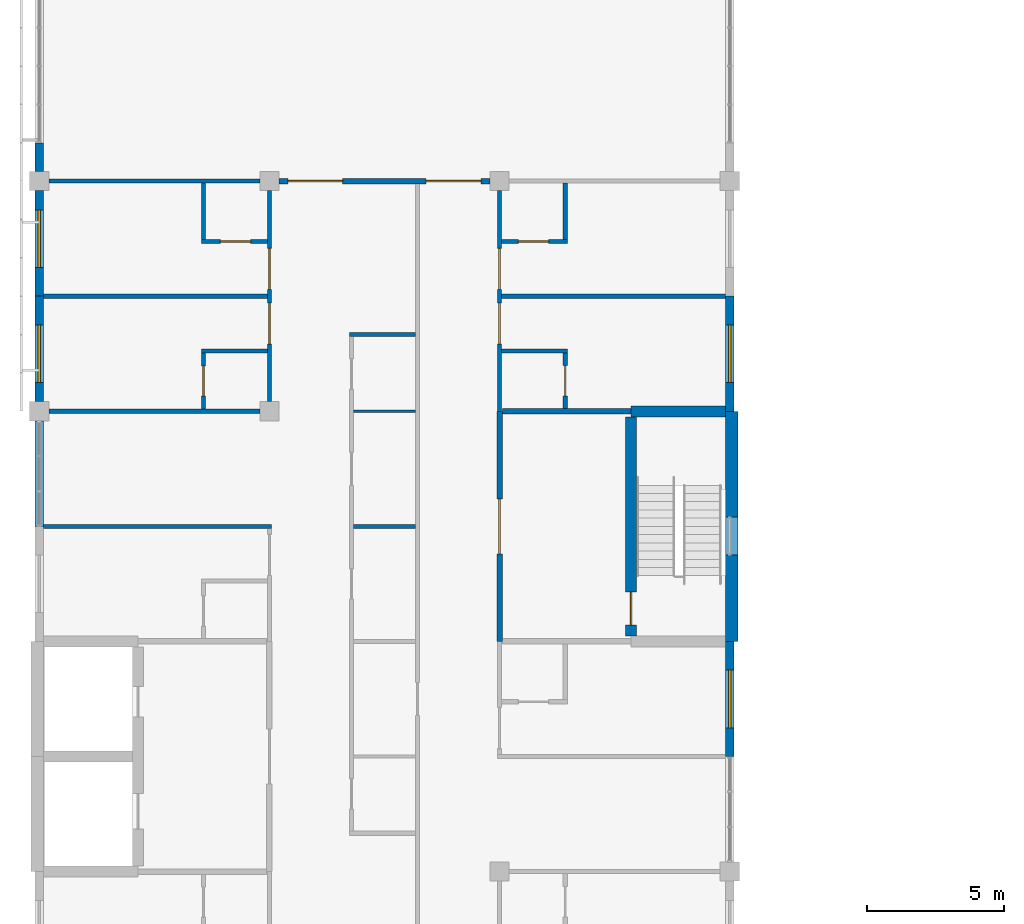
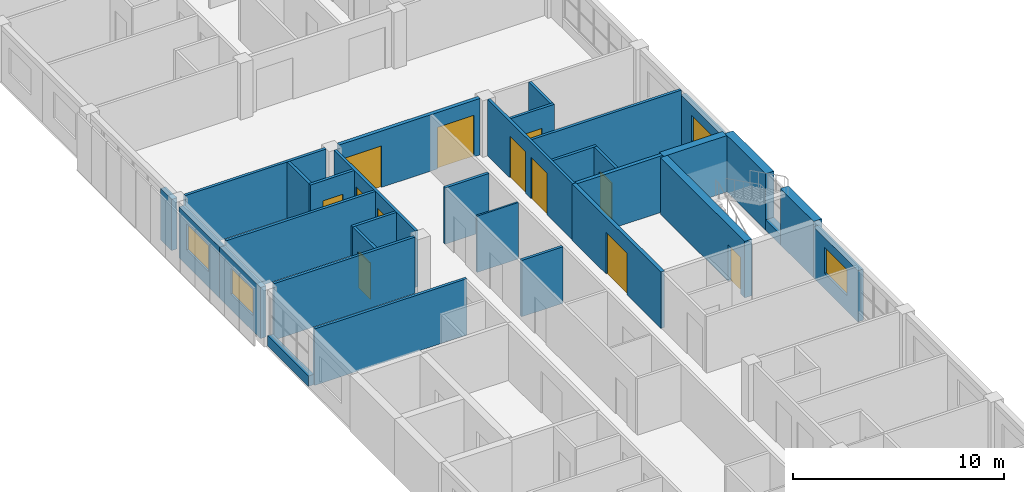
# One storey, part 33 of 46: 32 walls, 12 doors, 4 windows, 16 openings.
"""IFC4 building model written with IfcOpenShell, lengths in metres."""

import ifcopenshell
import ifcopenshell.guid

model = None  # the IFC model being written
_history = None  # IfcOwnerHistory: only IFC2X3 demands one
_inside = {}  # id of a spatial element -> (the spatial element, [elements in it])
_under = {}  # id of a project, library or spatial element -> (it, [spatial elements below it])
_declared = {}  # id of a project -> (the project, [libraries it declares])
_typed = {}  # id of a type object -> (the type object, [elements of that type])
_made_of = {}  # id of a material, layer set ... -> (it, [elements and type objects made of it])


def new_model(schema):
    """Start an empty IFC model of exactly this schema.

    Asked for "IFC4X3", IfcOpenShell would pick the latest addendum, in which some entities
    have other attributes; the version numbers below select the first issue.
    IFC2X3 requires an IfcOwnerHistory on every rooted entity: one is made here for all.
    """
    global model, _history
    if schema == "IFC4X3":
        model = ifcopenshell.file(schema_version=(4, 3, 0, 0))
    else:
        model = ifcopenshell.file(schema=schema)
    _inside.clear()
    _under.clear()
    _declared.clear()
    _typed.clear()
    _made_of.clear()
    _history = None
    if model.schema == "IFC2X3":
        org = make("IfcOrganization", Name="unknown")
        user = make(
            "IfcPersonAndOrganization",
            ThePerson=make("IfcPerson", FamilyName="unknown"),
            TheOrganization=org,
        )
        app = make(
            "IfcApplication",
            ApplicationDeveloper=org,
            Version="unknown",
            ApplicationFullName="unknown",
            ApplicationIdentifier="unknown",
        )
        _history = make(
            "IfcOwnerHistory",
            OwningUser=user,
            OwningApplication=app,
            ChangeAction="ADDED",
            CreationDate=0,
        )
    return model


def make(cls, **values):
    """One entity of the class cls with the attributes given. An attribute that is None is left unset."""
    return model.create_entity(
        cls, **{name: value for name, value in values.items() if value is not None}
    )


def rooted(cls, **values):
    """An entity with a GlobalId (a new one), such as an element, a storey or a relation."""
    return make(cls, GlobalId=ifcopenshell.guid.new(), OwnerHistory=_history, **values)


def si_unit(unit_type, name, prefix=None):
    """IfcSIUnit, for example si_unit("LENGTHUNIT", "METRE", prefix="MILLI")."""
    return make("IfcSIUnit", UnitType=unit_type, Prefix=prefix, Name=name)


def assignment(units):
    """IfcUnitAssignment: the units of a project."""
    return None if units is None else make("IfcUnitAssignment", Units=units)


def point(xyz):
    """IfcCartesianPoint."""
    return None if xyz is None else make("IfcCartesianPoint", Coordinates=xyz)


def direction(xyz):
    """IfcDirection."""
    return None if xyz is None else make("IfcDirection", DirectionRatios=xyz)


def frame(location, z_axis=None, x_axis=None):
    """IfcAxis2Placement3D, a coordinate frame: its origin and axes. An axis left out is left unset."""
    return make(
        "IfcAxis2Placement3D",
        Location=point(location),
        Axis=direction(z_axis),
        RefDirection=direction(x_axis),
    )


def frame_2d(location, x_axis=None):
    """IfcAxis2Placement2D, a coordinate frame in the plane: its origin and x axis."""
    return make(
        "IfcAxis2Placement2D", Location=point(location), RefDirection=direction(x_axis)
    )


def origin():
    """The frame at (0, 0, 0) with its axes left unset."""
    return frame((0.0, 0.0, 0.0))


def place(relative_to, where):
    """IfcLocalPlacement: puts the frame where relative to a parent placement (None: the world)."""
    return make(
        "IfcLocalPlacement", PlacementRelTo=relative_to, RelativePlacement=where
    )


def context(
    kind, dimensions, precision=None, world=None, true_north=None, identifier=None
):
    """IfcGeometricRepresentationContext, for example the 3D "Model" context."""
    return make(
        "IfcGeometricRepresentationContext",
        ContextIdentifier=identifier,
        ContextType=kind,
        CoordinateSpaceDimension=dimensions,
        Precision=precision,
        WorldCoordinateSystem=world,
        TrueNorth=true_north,
    )


def subcontext(parent, identifier, kind, view, scale=None):
    """IfcGeometricRepresentationSubContext, for example "Body" below "Model"."""
    return make(
        "IfcGeometricRepresentationSubContext",
        ContextIdentifier=identifier,
        ContextType=kind,
        ParentContext=parent,
        TargetScale=scale,
        TargetView=view,
    )


def project(units=None, contexts=None):
    """IfcProject with its units and contexts."""
    return rooted(
        "IfcProject",
        Name="project",
        RepresentationContexts=contexts,
        UnitsInContext=assignment(units),
    )


def spatial(cls, under=None, at=None, **own):
    """A site, building, storey or space (cls), placed at a placement, below another one or the project."""
    s = rooted(cls, ObjectPlacement=at, **own)
    if under is not None:
        _under.setdefault(under.id(), (under, []))[1].append(s)
    return s


def profile(cls, at=None, kind="AREA", **sizes):
    """A parametric profile (cls). Its sizes go by their IFC names, for example OverallWidth=200.0."""
    return make(cls, ProfileType=kind, Position=at, **sizes)


def rectangle(**sizes):
    """IfcRectangleProfileDef."""
    return profile("IfcRectangleProfileDef", **sizes)


def extrude(swept, where, along, depth):
    """IfcExtrudedAreaSolid: the profile swept, set in the frame where, extruded along a direction by depth."""
    return make(
        "IfcExtrudedAreaSolid",
        SweptArea=swept,
        Position=where,
        ExtrudedDirection=direction(along),
        Depth=depth,
    )


def shape(context_of_items, identifier, shape_type, items):
    """IfcShapeRepresentation: the items that make up one representation, for example the "Body"."""
    return make(
        "IfcShapeRepresentation",
        ContextOfItems=context_of_items,
        RepresentationIdentifier=identifier,
        RepresentationType=shape_type,
        Items=items,
    )


def material(Name=None, Category=None):
    """IfcMaterial."""
    return make("IfcMaterial", Name=Name, Category=Category)


def layer(
    of_material, thickness, ventilated=None, Name=None, Category=None, Priority=None
):
    """IfcMaterialLayer: one layer of a wall or slab, of a material (None: an air gap)."""
    return make(
        "IfcMaterialLayer",
        Material=of_material,
        LayerThickness=thickness,
        IsVentilated=ventilated,
        Name=Name,
        Category=Category,
        Priority=Priority,
    )


def layer_set(layers, Name=None):
    """IfcMaterialLayerSet."""
    return make("IfcMaterialLayerSet", MaterialLayers=layers, LayerSetName=Name)


def made_of(thing, what):
    """Note that an element or type object is made of a material, layer set ...; save() writes the relation."""
    if what is not None:
        _made_of.setdefault(what.id(), (what, []))[1].append(thing)
    return thing


def type_object(cls, material=None, **own):
    """A type object (cls), such as IfcWallType, which elements share."""
    return made_of(rooted(cls, **own), material)


def element(
    cls,
    number,
    at=None,
    inside=None,
    cuts=None,
    type_object=None,
    material=None,
    context=None,
    identifier="Body",
    shape_type=None,
    held_by="IfcProductDefinitionShape",
    body=None,
    shapes=None,
    **own,
):
    """One element of the class cls, such as IfcWall. Its Tag is "e" and its number.

    at: its placement. inside: the storey or other place that contains it. cuts: it is an
    opening in that element (IfcRelVoidsElement). A single representation is given by context,
    identifier, shape_type and body (its items); several are given by shapes. held_by: the class
    of the entity that holds the representations. save() writes the other relations.
    """
    e = rooted(cls, Tag="e%d" % number, ObjectPlacement=at, **own)
    if body is not None:
        shapes = [shape(context, identifier, shape_type, body)]
    if shapes is not None:
        e.Representation = make(held_by, Representations=shapes)
    if inside is not None:
        _inside.setdefault(inside.id(), (inside, []))[1].append(e)
    if cuts is not None:
        rooted(
            "IfcRelVoidsElement", RelatingBuildingElement=cuts, RelatedOpeningElement=e
        )
    if type_object is not None:
        _typed.setdefault(type_object.id(), (type_object, []))[1].append(e)
    return made_of(e, material)


def fill(opening, filler):
    """IfcRelFillsElement: the door or window that sits in an opening."""
    return rooted(
        "IfcRelFillsElement",
        RelatingOpeningElement=opening,
        RelatedBuildingElement=filler,
    )


def aggregate(whole, parts):
    """IfcRelAggregates: a whole, such as a stair, and the parts it consists of."""
    return rooted("IfcRelAggregates", RelatingObject=whole, RelatedObjects=parts)


def save(model, path):
    """Write the relations noted so far, then the file.

    IfcRelAggregates (storeys below a building ...), IfcRelContainedInSpatialStructure (elements
    in a storey), IfcRelDefinesByType, IfcRelAssociatesMaterial and IfcRelDeclares: one each for
    every whole, place, type object, material and project.
    """
    for whole, parts in _under.values():
        aggregate(whole, parts)
    for where, things in _inside.values():
        rooted(
            "IfcRelContainedInSpatialStructure",
            RelatedElements=things,
            RelatingStructure=where,
        )
    for kind, things in _typed.values():
        rooted("IfcRelDefinesByType", RelatedObjects=things, RelatingType=kind)
    for what, things in _made_of.values():
        rooted("IfcRelAssociatesMaterial", RelatedObjects=things, RelatingMaterial=what)
    for by, libraries in _declared.values():
        rooted("IfcRelDeclares", RelatingContext=by, RelatedDefinitions=libraries)
    model.write(path)


model = new_model("IFC4")

# Units and contexts
model_context = context("Model", 3, precision=1e-05, world=origin(), true_north=direction((0.0, 1.0)))
body_context = subcontext(model_context, "Body", "Model", "MODEL_VIEW")
ifc_project = project(units=[si_unit("LENGTHUNIT", "METRE"), si_unit("AREAUNIT", "SQUARE_METRE"), si_unit("VOLUMEUNIT", "CUBIC_METRE"), si_unit("PLANEANGLEUNIT", "RADIAN"), si_unit("MASSUNIT", "GRAM", prefix="KILO")], contexts=[model_context])

# Site, building, storey
site_placement = place(None, origin())
site = spatial("IfcSite", under=ifc_project, at=site_placement, CompositionType="ELEMENT")
building_placement = place(site_placement, origin())
building = spatial("IfcBuilding", under=site, at=building_placement, Name="Yavir Park General Hospital", CompositionType="ELEMENT")
storey_placement = place(building_placement, frame((0.0, 0.0, 18.89990234375)))
storey = spatial("IfcBuildingStorey", under=building, at=storey_placement, Name="L04", CompositionType="ELEMENT", Elevation=18.89990234375)

# Wall
ifc_material_1 = material(Name="Double gypsum board fire partition on steel studs", Category="steel")
ifc_layer_1 = layer(ifc_material_1, 0.199951171875)
ifc_layer_set_1 = layer_set([ifc_layer_1], Name="Double gypsum board fire partition on steel studs")
wall_type_1 = type_object("IfcWallType", Name="Fire-rated partition 200, EI 60", PredefinedType="PARTITIONING", material=ifc_layer_set_1)
wall_1_placement = place(storey_placement, frame((16.89990234375, 84.0, 0.0), z_axis=(0.0, 0.0, 1.0), x_axis=(1.0, 0.0, 0.0)))
element("IfcWall", 1, at=wall_1_placement, inside=storey, type_object=wall_type_1, Name="FP20 L04-113", PredefinedType="PARTITIONING", context=body_context, shape_type="SweptSolid", body=[
    extrude(rectangle(XDim=4.7001953125, YDim=0.199951171875, at=frame_2d((2.35009765625, 0.0))), origin(), (0.0, 0.0, 1.0), 3.260009765625),
])

# Wall, openings, doors
wall_2_placement = place(storey_placement, frame((8.75, 92.39990234375, 0.0), z_axis=(0.0, 0.0, 1.0), x_axis=(1.0, 0.0, 0.0)))
wall_2 = element("IfcWall", 2, at=wall_2_placement, inside=storey, type_object=wall_type_1, Name="FP20 L04-123", PredefinedType="PARTITIONING", context=body_context, shape_type="SweptSolid", body=[
    extrude(rectangle(XDim=7.699951171875, YDim=0.199951171875, at=frame_2d((3.85009765625, 0.0))), origin(), (0.0, 0.0, 1.0), 3.260009765625),
])
opening_1_placement = place(wall_2_placement, frame((0.324951171875, 0.0, 0.0)))
opening_1 = element("IfcOpeningElement", 3, at=opening_1_placement, cuts=wall_2, Name="Opening L04.D068", PredefinedType="OPENING", context=body_context, shape_type="SweptSolid", body=[
    extrude(rectangle(XDim=2.0, YDim=2.39990234375, at=frame_2d((1.0, 1.199951171875))), frame((0.0, 0.10986328125, 0.0), z_axis=(0.0, -1.0, 0.0), x_axis=(1.0, 0.0, 0.0)), (0.0, 0.0, 1.0), 0.219970703125),
])
opening_2_placement = place(wall_2_placement, frame((5.375, 0.0, 0.0)))
opening_2 = element("IfcOpeningElement", 4, at=opening_2_placement, cuts=wall_2, Name="Opening L04.D069", PredefinedType="OPENING", context=body_context, shape_type="SweptSolid", body=[
    extrude(rectangle(XDim=2.0, YDim=2.39990234375, at=frame_2d((1.0, 1.199951171875))), frame((0.0, 0.10986328125, 0.0), z_axis=(0.0, -1.0, 0.0), x_axis=(1.0, 0.0, 0.0)), (0.0, 0.0, 1.0), 0.219970703125),
])
ifc_material_2 = material(Name="Steel frame, fire-resisting leaves with vision panels", Category="steel")
door_type_1 = type_object("IfcDoorType", Name="Double fire door with vision panels 2000 x 2400, EI 60", OperationType="DOUBLE_DOOR_SINGLE_SWING", PredefinedType="DOOR", material=ifc_material_2)
door_1_placement = place(opening_1_placement, origin())
door_1 = element("IfcDoor", 5, at=door_1_placement, inside=storey, type_object=door_type_1, Name="L04.D068", OperationType="SINGLE_SWING_RIGHT", OverallHeight=2.39990234375, OverallWidth=2.0, PredefinedType="DOOR", context=body_context, shape_type="SweptSolid", body=[
    extrude(rectangle(XDim=2.0, YDim=2.39990234375, at=frame_2d((1.0, 1.199951171875))), frame((0.0, 0.030029296875, 0.0), z_axis=(0.0, -1.0, 0.0), x_axis=(1.0, 0.0, 0.0)), (0.0, 0.0, 1.0), 0.06005859375),
])
fill(opening_1, door_1)
door_2_placement = place(opening_2_placement, origin())
door_2 = element("IfcDoor", 6, at=door_2_placement, inside=storey, type_object=door_type_1, Name="L04.D069", OperationType="SINGLE_SWING_LEFT", OverallHeight=2.39990234375, OverallWidth=2.0, PredefinedType="DOOR", context=body_context, shape_type="SweptSolid", body=[
    extrude(rectangle(XDim=2.0, YDim=2.39990234375, at=frame_2d((1.0, 1.199951171875))), frame((0.0, 0.030029296875, 0.0), z_axis=(0.0, -1.0, 0.0), x_axis=(1.0, 0.0, 0.0)), (0.0, 0.0, 1.0), 0.06005859375),
])
fill(opening_2, door_2)

# Wall, opening, door
wall_3_placement = place(storey_placement, frame((16.800048828125, 75.60009765625, 0.0), z_axis=(0.0, 0.0, 1.0), x_axis=(0.0, 1.0, 0.0)))
wall_3 = element("IfcWall", 7, at=wall_3_placement, inside=storey, type_object=wall_type_1, Name="FP20 L04-194", PredefinedType="PARTITIONING", context=body_context, shape_type="SweptSolid", body=[
    extrude(rectangle(XDim=8.39990234375, YDim=0.199951171875, at=frame_2d((4.199951171875, 0.0))), origin(), (0.0, 0.0, 1.0), 3.260009765625),
])
opening_3_placement = place(wall_3_placement, frame((3.199951171875, 0.0, 0.0)))
opening_3 = element("IfcOpeningElement", 8, at=opening_3_placement, cuts=wall_3, Name="Opening L04.D122", PredefinedType="OPENING", context=body_context, shape_type="SweptSolid", body=[
    extrude(rectangle(XDim=2.0, YDim=2.39990234375, at=frame_2d((1.0, 1.199951171875))), frame((0.0, 0.10986328125, 0.0), z_axis=(0.0, -1.0, 0.0), x_axis=(1.0, 0.0, 0.0)), (0.0, 0.0, 1.0), 0.219970703125),
])
door_3_placement = place(opening_3_placement, origin())
door_3 = element("IfcDoor", 9, at=door_3_placement, inside=storey, type_object=door_type_1, Name="L04.D122", OperationType="SINGLE_SWING_LEFT", OverallHeight=2.39990234375, OverallWidth=2.0, PredefinedType="DOOR", context=body_context, shape_type="SweptSolid", body=[
    extrude(rectangle(XDim=2.0, YDim=2.39990234375, at=frame_2d((1.0, 1.199951171875))), frame((0.0, 0.030029296875, 0.0), z_axis=(0.0, -1.0, 0.0), x_axis=(1.0, 0.0, 0.0)), (0.0, 0.0, 1.0), 0.06005859375),
])
fill(opening_3, door_3)

# Walls
ifc_material_3 = material(Name="Gypsum board partition on steel studs", Category="steel")
ifc_layer_2 = layer(ifc_material_3, 0.10009765625)
ifc_layer_set_2 = layer_set([ifc_layer_2], Name="Gypsum board partition on steel studs")
wall_type_2 = type_object("IfcWallType", Name="Gypsum board partition 100", PredefinedType="PARTITIONING", material=ifc_layer_set_2)
wall_4_placement = place(storey_placement, frame((11.47509765625, 84.0, 0.0), z_axis=(0.0, 0.0, 1.0), x_axis=(1.0, 0.0, 0.0)))
element("IfcWall", 10, at=wall_4_placement, inside=storey, type_object=wall_type_2, Name="P10 L04-112", PredefinedType="PARTITIONING", context=body_context, shape_type="SweptSolid", body=[
    extrude(rectangle(XDim=2.25, YDim=0.10009765625, at=frame_2d((1.125, 0.0))), origin(), (0.0, 0.0, 1.0), 3.260009765625),
])
ifc_material_4 = material(Name="Gypsum board partition on steel studs", Category="steel")
ifc_layer_3 = layer(ifc_material_4, 0.14990234375)
ifc_layer_set_3 = layer_set([ifc_layer_3], Name="Gypsum board partition on steel studs")
wall_type_3 = type_object("IfcWallType", Name="Gypsum board partition 150", PredefinedType="PARTITIONING", material=ifc_layer_set_3)
wall_5_placement = place(storey_placement, frame((0.14990234375, 79.800048828125, 0.0), z_axis=(0.0, 0.0, 1.0), x_axis=(1.0, 0.0, 0.0)))
element("IfcWall", 11, at=wall_5_placement, inside=storey, type_object=wall_type_3, Name="P15 L04-109", PredefinedType="PARTITIONING", context=body_context, shape_type="SweptSolid", body=[
    extrude(rectangle(XDim=8.3251953125, YDim=0.14990234375, at=frame_2d((4.16259765625, 0.0))), origin(), (0.0, 0.0, 1.0), 3.260009765625),
])
wall_6_placement = place(storey_placement, frame((11.47509765625, 79.800048828125, 0.0), z_axis=(0.0, 0.0, 1.0), x_axis=(1.0, 0.0, 0.0)))
element("IfcWall", 12, at=wall_6_placement, inside=storey, type_object=wall_type_3, Name="P15 L04-110", PredefinedType="PARTITIONING", context=body_context, shape_type="SweptSolid", body=[
    extrude(rectangle(XDim=2.25, YDim=0.14990234375, at=frame_2d((1.125, 0.0))), origin(), (0.0, 0.0, 1.0), 3.260009765625),
])
wall_7_placement = place(storey_placement, frame((0.35009765625, 84.0, 0.0), z_axis=(0.0, 0.0, 1.0), x_axis=(1.0, 0.0, 0.0)))
element("IfcWall", 13, at=wall_7_placement, inside=storey, type_object=wall_type_3, Name="P15 L04-111", PredefinedType="PARTITIONING", context=body_context, shape_type="SweptSolid", body=[
    extrude(rectangle(XDim=7.699951171875, YDim=0.14990234375, at=frame_2d((3.85009765625, 0.0))), origin(), (0.0, 0.0, 1.0), 3.260009765625),
])
for number, where, z_axis, x_axis, name in (
    (14, (5.925048828125, 86.199951171875, 0.0), (0.0, 0.0, 1.0), (1.0, 0.0, 0.0), "P15 L04-115"),
    (15, (16.875, 86.199951171875, 0.0), (0.0, 0.0, 1.0), (1.0, 0.0, 0.0), "P15 L04-116"),
):
    element("IfcWall", number, at=place(storey_placement, frame(where, z_axis=z_axis, x_axis=x_axis)), inside=storey, type_object=wall_type_3, Name=name, PredefinedType="PARTITIONING", context=body_context, shape_type="SweptSolid", body=[
        extrude(rectangle(XDim=2.39990234375, YDim=0.14990234375, at=frame_2d((1.199951171875, 0.0))), origin(), (0.0, 0.0, 1.0), 3.260009765625),
    ])
wall_8_placement = place(storey_placement, frame((11.324951171875, 86.800048828125, 0.0), z_axis=(0.0, 0.0, 1.0), x_axis=(1.0, 0.0, 0.0)))
element("IfcWall", 16, at=wall_8_placement, inside=storey, type_object=wall_type_3, Name="P15 L04-117", PredefinedType="PARTITIONING", context=body_context, shape_type="SweptSolid", body=[
    extrude(rectangle(XDim=2.400146484375, YDim=0.14990234375, at=frame_2d((1.2001953125, 0.0))), origin(), (0.0, 0.0, 1.0), 3.260009765625),
])
for number, where, z_axis, x_axis, name in (
    (17, (0.14990234375, 88.199951171875, 0.0), (0.0, 0.0, 1.0), (1.0, 0.0, 0.0), "P15 L04-118"),
    (18, (16.875, 88.199951171875, 0.0), (0.0, 0.0, 1.0), (1.0, 0.0, 0.0), "P15 L04-119"),
):
    element("IfcWall", number, at=place(storey_placement, frame(where, z_axis=z_axis, x_axis=x_axis)), inside=storey, type_object=wall_type_3, Name=name, PredefinedType="PARTITIONING", context=body_context, shape_type="SweptSolid", body=[
        extrude(rectangle(XDim=8.175048828125, YDim=0.14990234375, at=frame_2d((4.08740234375, 0.0))), origin(), (0.0, 0.0, 1.0), 3.260009765625),
    ])

# Wall, opening, door
wall_9_placement = place(storey_placement, frame((5.925048828125, 90.199951171875, 0.0), z_axis=(0.0, 0.0, 1.0), x_axis=(1.0, 0.0, 0.0)))
wall_9 = element("IfcWall", 19, at=wall_9_placement, inside=storey, type_object=wall_type_3, Name="P15 L04-120", PredefinedType="PARTITIONING", context=body_context, shape_type="SweptSolid", body=[
    extrude(rectangle(XDim=2.39990234375, YDim=0.14990234375, at=frame_2d((1.199951171875, 0.0))), origin(), (0.0, 0.0, 1.0), 3.260009765625),
])
opening_4_placement = place(wall_9_placement, frame((0.6875, 0.0, 0.0)))
opening_4 = element("IfcOpeningElement", 20, at=opening_4_placement, cuts=wall_9, Name="Opening L04.D066", PredefinedType="OPENING", context=body_context, shape_type="SweptSolid", body=[
    extrude(rectangle(XDim=1.10009765625, YDim=2.10009765625, at=frame_2d((0.550048828125, 1.050048828125))), frame((0.0, 0.0849609375, 0.0), z_axis=(0.0, -1.0, 0.0), x_axis=(1.0, 0.0, 0.0)), (0.0, 0.0, 1.0), 0.169921875),
])
ifc_material_5 = material(Name="Hollow metal frame, solid-core timber leaf", Category="wood")
door_type_2 = type_object("IfcDoorType", Name="Single swing door 1100 x 2100", OperationType="SINGLE_SWING_LEFT", PredefinedType="DOOR", material=ifc_material_5)
door_4_placement = place(opening_4_placement, origin())
door_4 = element("IfcDoor", 21, at=door_4_placement, inside=storey, type_object=door_type_2, Name="L04.D066", OperationType="SINGLE_SWING_RIGHT", OverallHeight=2.10009765625, OverallWidth=1.10009765625, PredefinedType="DOOR", context=body_context, shape_type="SweptSolid", body=[
    extrude(rectangle(XDim=1.10009765625, YDim=2.10009765625, at=frame_2d((0.550048828125, 1.050048828125))), frame((0.0, 0.02490234375, 0.0), z_axis=(0.0, -1.0, 0.0), x_axis=(1.0, 0.0, 0.0)), (0.0, 0.0, 1.0), 0.050048828125),
])
fill(opening_4, door_4)

wall_10_placement = place(storey_placement, frame((16.875, 90.199951171875, 0.0), z_axis=(0.0, 0.0, 1.0), x_axis=(1.0, 0.0, 0.0)))
wall_10 = element("IfcWall", 22, at=wall_10_placement, inside=storey, type_object=wall_type_3, Name="P15 L04-121", PredefinedType="PARTITIONING", context=body_context, shape_type="SweptSolid", body=[
    extrude(rectangle(XDim=2.39990234375, YDim=0.14990234375, at=frame_2d((1.199951171875, 0.0))), origin(), (0.0, 0.0, 1.0), 3.260009765625),
])
opening_5_placement = place(wall_10_placement, frame((0.612548828125, 0.0, 0.0)))
opening_5 = element("IfcOpeningElement", 23, at=opening_5_placement, cuts=wall_10, Name="Opening L04.D067", PredefinedType="OPENING", context=body_context, shape_type="SweptSolid", body=[
    extrude(rectangle(XDim=1.10009765625, YDim=2.10009765625, at=frame_2d((0.550048828125, 1.050048828125))), frame((0.0, 0.0849609375, 0.0), z_axis=(0.0, -1.0, 0.0), x_axis=(1.0, 0.0, 0.0)), (0.0, 0.0, 1.0), 0.169921875),
])
door_5_placement = place(opening_5_placement, origin())
door_5 = element("IfcDoor", 24, at=door_5_placement, inside=storey, type_object=door_type_2, Name="L04.D067", OperationType="SINGLE_SWING_LEFT", OverallHeight=2.10009765625, OverallWidth=1.10009765625, PredefinedType="DOOR", context=body_context, shape_type="SweptSolid", body=[
    extrude(rectangle(XDim=1.10009765625, YDim=2.10009765625, at=frame_2d((0.550048828125, 1.050048828125))), frame((0.0, 0.02490234375, 0.0), z_axis=(0.0, -1.0, 0.0), x_axis=(1.0, 0.0, 0.0)), (0.0, 0.0, 1.0), 0.050048828125),
])
fill(opening_5, door_5)

# Wall
wall_11_placement = place(storey_placement, frame((0.35009765625, 92.39990234375, 0.0), z_axis=(0.0, 0.0, 1.0), x_axis=(1.0, 0.0, 0.0)))
element("IfcWall", 25, at=wall_11_placement, inside=storey, type_object=wall_type_3, Name="P15 L04-122", PredefinedType="PARTITIONING", context=body_context, shape_type="SweptSolid", body=[
    extrude(rectangle(XDim=7.699951171875, YDim=0.14990234375, at=frame_2d((3.85009765625, 0.0))), origin(), (0.0, 0.0, 1.0), 3.260009765625),
])

# Wall, opening, door
wall_12_placement = place(storey_placement, frame((6.0, 84.074951171875, 0.0), z_axis=(0.0, 0.0, 1.0), x_axis=(0.0, 1.0, 0.0)))
wall_12 = element("IfcWall", 26, at=wall_12_placement, inside=storey, type_object=wall_type_3, Name="P15 L04-155", PredefinedType="PARTITIONING", context=body_context, shape_type="SweptSolid", body=[
    extrude(rectangle(XDim=2.050048828125, YDim=0.14990234375, at=frame_2d((1.02490234375, 0.0))), origin(), (0.0, 0.0, 1.0), 3.260009765625),
])
opening_6_placement = place(wall_12_placement, frame((0.47509765625, 0.0, 0.0)))
opening_6 = element("IfcOpeningElement", 27, at=opening_6_placement, cuts=wall_12, Name="Opening L04.D084", PredefinedType="OPENING", context=body_context, shape_type="SweptSolid", body=[
    extrude(rectangle(XDim=1.10009765625, YDim=2.10009765625, at=frame_2d((0.550048828125, 1.050048828125))), frame((0.0, 0.0849609375, 0.0), z_axis=(0.0, -1.0, 0.0), x_axis=(1.0, 0.0, 0.0)), (0.0, 0.0, 1.0), 0.169921875),
])
door_6_placement = place(opening_6_placement, origin())
door_6 = element("IfcDoor", 28, at=door_6_placement, inside=storey, type_object=door_type_2, Name="L04.D084", OperationType="SINGLE_SWING_RIGHT", OverallHeight=2.10009765625, OverallWidth=1.10009765625, PredefinedType="DOOR", context=body_context, shape_type="SweptSolid", body=[
    extrude(rectangle(XDim=1.10009765625, YDim=2.10009765625, at=frame_2d((0.550048828125, 1.050048828125))), frame((0.0, 0.02490234375, 0.0), z_axis=(0.0, -1.0, 0.0), x_axis=(1.0, 0.0, 0.0)), (0.0, 0.0, 1.0), 0.050048828125),
])
fill(opening_6, door_6)

# Wall
wall_13_placement = place(storey_placement, frame((6.0, 90.27490234375, 0.0), z_axis=(0.0, 0.0, 1.0), x_axis=(0.0, 1.0, 0.0)))
element("IfcWall", 29, at=wall_13_placement, inside=storey, type_object=wall_type_3, Name="P15 L04-156", PredefinedType="PARTITIONING", context=body_context, shape_type="SweptSolid", body=[
    extrude(rectangle(XDim=2.050048828125, YDim=0.14990234375, at=frame_2d((1.02490234375, 0.0))), origin(), (0.0, 0.0, 1.0), 3.260009765625),
])

# Wall, openings, doors
wall_14_placement = place(storey_placement, frame((8.39990234375, 84.35009765625, 0.0), z_axis=(0.0, 0.0, 1.0), x_axis=(0.0, 1.0, 0.0)))
wall_14 = element("IfcWall", 30, at=wall_14_placement, inside=storey, type_object=wall_type_3, Name="P15 L04-172", PredefinedType="PARTITIONING", context=body_context, shape_type="SweptSolid", body=[
    extrude(rectangle(XDim=7.699951171875, YDim=0.14990234375, at=frame_2d((3.85009765625, 0.0))), origin(), (0.0, 0.0, 1.0), 3.260009765625),
])
opening_7_placement = place(wall_14_placement, frame((2.10009765625, 0.0, 0.0)))
opening_7 = element("IfcOpeningElement", 31, at=opening_7_placement, cuts=wall_14, Name="Opening L04.D098", PredefinedType="OPENING", context=body_context, shape_type="SweptSolid", body=[
    extrude(rectangle(XDim=1.5, YDim=2.39990234375, at=frame_2d((0.75, 1.199951171875))), frame((0.0, 0.0849609375, 0.0), z_axis=(0.0, -1.0, 0.0), x_axis=(1.0, 0.0, 0.0)), (0.0, 0.0, 1.0), 0.169921875),
])
opening_8_placement = place(wall_14_placement, frame((4.10009765625, 0.0, 0.0)))
opening_8 = element("IfcOpeningElement", 32, at=opening_8_placement, cuts=wall_14, Name="Opening L04.D099", PredefinedType="OPENING", context=body_context, shape_type="SweptSolid", body=[
    extrude(rectangle(XDim=1.5, YDim=2.39990234375, at=frame_2d((0.75, 1.199951171875))), frame((0.0, 0.0849609375, 0.0), z_axis=(0.0, -1.0, 0.0), x_axis=(1.0, 0.0, 0.0)), (0.0, 0.0, 1.0), 0.169921875),
])
ifc_material_6 = material(Name="Solid-core timber leaves, push plates, kick plates", Category="wood")
door_type_3 = type_object("IfcDoorType", Name="Bed door, unequal leaves 1500 x 2400", OperationType="DOUBLE_DOOR_SINGLE_SWING", PredefinedType="DOOR", material=ifc_material_6)
door_7_placement = place(opening_7_placement, origin())
door_7 = element("IfcDoor", 33, at=door_7_placement, inside=storey, type_object=door_type_3, Name="L04.D098", OperationType="SINGLE_SWING_RIGHT", OverallHeight=2.39990234375, OverallWidth=1.5, PredefinedType="DOOR", context=body_context, shape_type="SweptSolid", body=[
    extrude(rectangle(XDim=1.5, YDim=2.39990234375, at=frame_2d((0.75, 1.199951171875))), frame((0.0, 0.030029296875, 0.0), z_axis=(0.0, -1.0, 0.0), x_axis=(1.0, 0.0, 0.0)), (0.0, 0.0, 1.0), 0.06005859375),
])
fill(opening_7, door_7)
door_8_placement = place(opening_8_placement, origin())
door_8 = element("IfcDoor", 34, at=door_8_placement, inside=storey, type_object=door_type_3, Name="L04.D099", OperationType="SINGLE_SWING_RIGHT", OverallHeight=2.39990234375, OverallWidth=1.5, PredefinedType="DOOR", context=body_context, shape_type="SweptSolid", body=[
    extrude(rectangle(XDim=1.5, YDim=2.39990234375, at=frame_2d((0.75, 1.199951171875))), frame((0.0, 0.030029296875, 0.0), z_axis=(0.0, -1.0, 0.0), x_axis=(1.0, 0.0, 0.0)), (0.0, 0.0, 1.0), 0.06005859375),
])
fill(opening_8, door_8)

wall_15_placement = place(storey_placement, frame((16.800048828125, 84.0, 0.0), z_axis=(0.0, 0.0, 1.0), x_axis=(0.0, 1.0, 0.0)))
wall_15 = element("IfcWall", 35, at=wall_15_placement, inside=storey, type_object=wall_type_3, Name="P15 L04-195", PredefinedType="PARTITIONING", context=body_context, shape_type="SweptSolid", body=[
    extrude(rectangle(XDim=8.050048828125, YDim=0.14990234375, at=frame_2d((4.02490234375, 0.0))), origin(), (0.0, 0.0, 1.0), 3.260009765625),
])
opening_9_placement = place(wall_15_placement, frame((2.449951171875, 0.0, 0.0)))
opening_9 = element("IfcOpeningElement", 36, at=opening_9_placement, cuts=wall_15, Name="Opening L04.D123", PredefinedType="OPENING", context=body_context, shape_type="SweptSolid", body=[
    extrude(rectangle(XDim=1.5, YDim=2.39990234375, at=frame_2d((0.75, 1.199951171875))), frame((0.0, 0.0849609375, 0.0), z_axis=(0.0, -1.0, 0.0), x_axis=(1.0, 0.0, 0.0)), (0.0, 0.0, 1.0), 0.169921875),
])
opening_10_placement = place(wall_15_placement, frame((4.449951171875, 0.0, 0.0)))
opening_10 = element("IfcOpeningElement", 37, at=opening_10_placement, cuts=wall_15, Name="Opening L04.D124", PredefinedType="OPENING", context=body_context, shape_type="SweptSolid", body=[
    extrude(rectangle(XDim=1.5, YDim=2.39990234375, at=frame_2d((0.75, 1.199951171875))), frame((0.0, 0.0849609375, 0.0), z_axis=(0.0, -1.0, 0.0), x_axis=(1.0, 0.0, 0.0)), (0.0, 0.0, 1.0), 0.169921875),
])
door_9_placement = place(opening_9_placement, origin())
door_9 = element("IfcDoor", 38, at=door_9_placement, inside=storey, type_object=door_type_3, Name="L04.D123", OperationType="SINGLE_SWING_LEFT", OverallHeight=2.39990234375, OverallWidth=1.5, PredefinedType="DOOR", context=body_context, shape_type="SweptSolid", body=[
    extrude(rectangle(XDim=1.5, YDim=2.39990234375, at=frame_2d((0.75, 1.199951171875))), frame((0.0, 0.030029296875, 0.0), z_axis=(0.0, -1.0, 0.0), x_axis=(1.0, 0.0, 0.0)), (0.0, 0.0, 1.0), 0.06005859375),
])
fill(opening_9, door_9)
door_10_placement = place(opening_10_placement, origin())
door_10 = element("IfcDoor", 39, at=door_10_placement, inside=storey, type_object=door_type_3, Name="L04.D124", OperationType="SINGLE_SWING_LEFT", OverallHeight=2.39990234375, OverallWidth=1.5, PredefinedType="DOOR", context=body_context, shape_type="SweptSolid", body=[
    extrude(rectangle(XDim=1.5, YDim=2.39990234375, at=frame_2d((0.75, 1.199951171875))), frame((0.0, 0.030029296875, 0.0), z_axis=(0.0, -1.0, 0.0), x_axis=(1.0, 0.0, 0.0)), (0.0, 0.0, 1.0), 0.06005859375),
])
fill(opening_10, door_10)

# Wall, opening, door
wall_16_placement = place(storey_placement, frame((19.199951171875, 84.10009765625, 0.0), z_axis=(0.0, 0.0, 1.0), x_axis=(0.0, 1.0, 0.0)))
wall_16 = element("IfcWall", 40, at=wall_16_placement, inside=storey, type_object=wall_type_3, Name="P15 L04-204", PredefinedType="PARTITIONING", context=body_context, shape_type="SweptSolid", body=[
    extrude(rectangle(XDim=2.02490234375, YDim=0.14990234375, at=frame_2d((1.012451171875, 0.0))), origin(), (0.0, 0.0, 1.0), 3.260009765625),
])
opening_11_placement = place(wall_16_placement, frame((0.46240234375, 0.0, 0.0)))
opening_11 = element("IfcOpeningElement", 41, at=opening_11_placement, cuts=wall_16, Name="Opening L04.D134", PredefinedType="OPENING", context=body_context, shape_type="SweptSolid", body=[
    extrude(rectangle(XDim=1.10009765625, YDim=2.10009765625, at=frame_2d((0.550048828125, 1.050048828125))), frame((0.0, 0.0849609375, 0.0), z_axis=(0.0, -1.0, 0.0), x_axis=(1.0, 0.0, 0.0)), (0.0, 0.0, 1.0), 0.169921875),
])
door_11_placement = place(opening_11_placement, origin())
door_11 = element("IfcDoor", 42, at=door_11_placement, inside=storey, type_object=door_type_2, Name="L04.D134", OperationType="SINGLE_SWING_LEFT", OverallHeight=2.10009765625, OverallWidth=1.10009765625, PredefinedType="DOOR", context=body_context, shape_type="SweptSolid", body=[
    extrude(rectangle(XDim=1.10009765625, YDim=2.10009765625, at=frame_2d((0.550048828125, 1.050048828125))), frame((0.0, 0.02490234375, 0.0), z_axis=(0.0, -1.0, 0.0), x_axis=(1.0, 0.0, 0.0)), (0.0, 0.0, 1.0), 0.050048828125),
])
fill(opening_11, door_11)

# Walls
wall_17_placement = place(storey_placement, frame((19.199951171875, 90.27490234375, 0.0), z_axis=(0.0, 0.0, 1.0), x_axis=(0.0, 1.0, 0.0)))
element("IfcWall", 43, at=wall_17_placement, inside=storey, type_object=wall_type_3, Name="P15 L04-205", PredefinedType="PARTITIONING", context=body_context, shape_type="SweptSolid", body=[
    extrude(rectangle(XDim=2.050048828125, YDim=0.14990234375, at=frame_2d((1.02490234375, 0.0))), origin(), (0.0, 0.0, 1.0), 3.260009765625),
])
ifc_material_7 = material(Name="Autoclaved aerated block, mineral wool and ochre mineral render")
ifc_layer_4 = layer(ifc_material_7, 0.300048828125)
ifc_layer_set_4 = layer_set([ifc_layer_4], Name="Autoclaved aerated block, mineral wool and ochre mineral render")
wall_type_4 = type_object("IfcWallType", Name="Ochre render ward wall 300, E 30", PredefinedType="SOLIDWALL", material=ifc_layer_set_4)
wall_18_placement = place(storey_placement, frame((0.0, 79.800048828125, 0.0), z_axis=(0.0, 0.0, 1.0), x_axis=(0.0, 1.0, 0.0)))
element("IfcWall", 44, at=wall_18_placement, inside=storey, type_object=wall_type_4, Name="XW7 L04-092", PredefinedType="SOLIDWALL", context=body_context, shape_type="SweptSolid", body=[
    extrude(rectangle(XDim=3.849853515625, YDim=0.300048828125, at=frame_2d((1.9248046875, 0.0))), origin(), (0.0, 0.0, 1.0), 0.60009765625),
])

# Wall, opening, window
wall_19_placement = place(storey_placement, frame((0.0, 84.35009765625, 0.0), z_axis=(0.0, 0.0, 1.0), x_axis=(0.0, 1.0, 0.0)))
wall_19 = element("IfcWall", 45, at=wall_19_placement, inside=storey, type_object=wall_type_4, Name="XW7 L04-093", PredefinedType="SOLIDWALL", context=body_context, shape_type="SweptSolid", body=[
    extrude(rectangle(XDim=3.849853515625, YDim=0.300048828125, at=frame_2d((1.9248046875, 0.0))), origin(), (0.0, 0.0, 1.0), 2.960205078125),
])
opening_12_placement = place(wall_19_placement, frame((0.699951171875, 0.0, 0.89990234375)))
opening_12 = element("IfcOpeningElement", 46, at=opening_12_placement, cuts=wall_19, Name="Opening WAR", PredefinedType="OPENING", context=body_context, shape_type="SweptSolid", body=[
    extrude(rectangle(XDim=2.10009765625, YDim=1.5, at=frame_2d((1.050048828125, 0.75))), frame((0.0, 0.159912109375, 0.0), z_axis=(0.0, -1.0, 0.0), x_axis=(1.0, 0.0, 0.0)), (0.0, 0.0, 1.0), 0.320068359375),
])
ifc_material_8 = material(Name="Aluminium frame, tilt-and-turn sash with opening restrictor, double glazed unit", Category="aluminium")
window_type = type_object("IfcWindowType", Name="Ward window, restricted opening 2100 x 1500", PartitioningType="DOUBLE_PANEL_VERTICAL", PredefinedType="WINDOW", material=ifc_material_8)
window_1_placement = place(opening_12_placement, origin())
window_1 = element("IfcWindow", 47, at=window_1_placement, inside=storey, type_object=window_type, Name="WAR L04-034", OverallHeight=1.5, OverallWidth=2.10009765625, PartitioningType="DOUBLE_PANEL_VERTICAL", PredefinedType="WINDOW", context=body_context, shape_type="SweptSolid", body=[
    extrude(rectangle(XDim=2.10009765625, YDim=1.5, at=frame_2d((1.050048828125, 0.75))), frame((0.0, 0.050048828125, 0.0), z_axis=(0.0, -1.0, 0.0), x_axis=(1.0, 0.0, 0.0)), (0.0, 0.0, 1.0), 0.10009765625),
])
fill(opening_12, window_1)

wall_20_placement = place(storey_placement, frame((0.0, 88.199951171875, 0.0), z_axis=(0.0, 0.0, 1.0), x_axis=(0.0, 1.0, 0.0)))
wall_20 = element("IfcWall", 48, at=wall_20_placement, inside=storey, type_object=wall_type_4, Name="XW7 L04-094", PredefinedType="SOLIDWALL", context=body_context, shape_type="SweptSolid", body=[
    extrude(rectangle(XDim=3.85009765625, YDim=0.300048828125, at=frame_2d((1.925048828125, 0.0))), origin(), (0.0, 0.0, 1.0), 2.960205078125),
])
opening_13_placement = place(wall_20_placement, frame((1.050048828125, 0.0, 0.89990234375)))
opening_13 = element("IfcOpeningElement", 49, at=opening_13_placement, cuts=wall_20, Name="Opening WAR", PredefinedType="OPENING", context=body_context, shape_type="SweptSolid", body=[
    extrude(rectangle(XDim=2.10009765625, YDim=1.5, at=frame_2d((1.050048828125, 0.75))), frame((0.0, 0.159912109375, 0.0), z_axis=(0.0, -1.0, 0.0), x_axis=(1.0, 0.0, 0.0)), (0.0, 0.0, 1.0), 0.320068359375),
])
window_2_placement = place(opening_13_placement, origin())
window_2 = element("IfcWindow", 50, at=window_2_placement, inside=storey, type_object=window_type, Name="WAR L04-035", OverallHeight=1.5, OverallWidth=2.10009765625, PartitioningType="DOUBLE_PANEL_VERTICAL", PredefinedType="WINDOW", context=body_context, shape_type="SweptSolid", body=[
    extrude(rectangle(XDim=2.10009765625, YDim=1.5, at=frame_2d((1.050048828125, 0.75))), frame((0.0, 0.050048828125, 0.0), z_axis=(0.0, -1.0, 0.0), x_axis=(1.0, 0.0, 0.0)), (0.0, 0.0, 1.0), 0.10009765625),
])
fill(opening_13, window_2)

# Wall
wall_21_placement = place(storey_placement, frame((0.0, 92.75, 0.0), z_axis=(0.0, 0.0, 1.0), x_axis=(0.0, 1.0, 0.0)))
element("IfcWall", 51, at=wall_21_placement, inside=storey, type_object=wall_type_4, Name="XW7 L04-095", PredefinedType="SOLIDWALL", context=body_context, shape_type="SweptSolid", body=[
    extrude(rectangle(XDim=1.050048828125, YDim=0.300048828125, at=frame_2d((0.52490234375, 0.0))), origin(), (0.0, 0.0, 1.0), 2.960205078125),
])

# Wall, opening, window
wall_22_placement = place(storey_placement, frame((25.199951171875, 71.39990234375, 0.0), z_axis=(0.0, 0.0, 1.0), x_axis=(0.0, 1.0, 0.0)))
wall_22 = element("IfcWall", 52, at=wall_22_placement, inside=storey, type_object=wall_type_4, Name="XW7 L04-115", PredefinedType="SOLIDWALL", context=body_context, shape_type="SweptSolid", body=[
    extrude(rectangle(XDim=4.2001953125, YDim=0.300048828125, at=frame_2d((2.10009765625, 0.0))), origin(), (0.0, 0.0, 1.0), 2.960205078125),
])
opening_14_placement = place(wall_22_placement, frame((1.050048828125, 0.0, 0.89990234375)))
opening_14 = element("IfcOpeningElement", 53, at=opening_14_placement, cuts=wall_22, Name="Opening WAR", PredefinedType="OPENING", context=body_context, shape_type="SweptSolid", body=[
    extrude(rectangle(XDim=2.10009765625, YDim=1.5, at=frame_2d((1.050048828125, 0.75))), frame((0.0, 0.159912109375, 0.0), z_axis=(0.0, -1.0, 0.0), x_axis=(1.0, 0.0, 0.0)), (0.0, 0.0, 1.0), 0.320068359375),
])
window_3_placement = place(opening_14_placement, origin())
window_3 = element("IfcWindow", 54, at=window_3_placement, inside=storey, type_object=window_type, Name="WAR L04-046", OverallHeight=1.5, OverallWidth=2.10009765625, PartitioningType="DOUBLE_PANEL_VERTICAL", PredefinedType="WINDOW", context=body_context, shape_type="SweptSolid", body=[
    extrude(rectangle(XDim=2.10009765625, YDim=1.5, at=frame_2d((1.050048828125, 0.75))), frame((0.0, 0.050048828125, 0.0), z_axis=(0.0, -1.0, 0.0), x_axis=(1.0, 0.0, 0.0)), (0.0, 0.0, 1.0), 0.10009765625),
])
fill(opening_14, window_3)

wall_23_placement = place(storey_placement, frame((25.199951171875, 84.0, 0.0), z_axis=(0.0, 0.0, 1.0), x_axis=(0.0, 1.0, 0.0)))
wall_23 = element("IfcWall", 55, at=wall_23_placement, inside=storey, type_object=wall_type_4, Name="XW7 L04-119", PredefinedType="SOLIDWALL", context=body_context, shape_type="SweptSolid", body=[
    extrude(rectangle(XDim=4.199951171875, YDim=0.300048828125, at=frame_2d((2.10009765625, 0.0))), origin(), (0.0, 0.0, 1.0), 2.960205078125),
])
opening_15_placement = place(wall_23_placement, frame((1.050048828125, 0.0, 0.89990234375)))
opening_15 = element("IfcOpeningElement", 56, at=opening_15_placement, cuts=wall_23, Name="Opening WAR", PredefinedType="OPENING", context=body_context, shape_type="SweptSolid", body=[
    extrude(rectangle(XDim=2.10009765625, YDim=1.5, at=frame_2d((1.050048828125, 0.75))), frame((0.0, 0.159912109375, 0.0), z_axis=(0.0, -1.0, 0.0), x_axis=(1.0, 0.0, 0.0)), (0.0, 0.0, 1.0), 0.320068359375),
])
window_4_placement = place(opening_15_placement, origin())
window_4 = element("IfcWindow", 57, at=window_4_placement, inside=storey, type_object=window_type, Name="WAR L04-047", OverallHeight=1.5, OverallWidth=2.10009765625, PartitioningType="DOUBLE_PANEL_VERTICAL", PredefinedType="WINDOW", context=body_context, shape_type="SweptSolid", body=[
    extrude(rectangle(XDim=2.10009765625, YDim=1.5, at=frame_2d((1.050048828125, 0.75))), frame((0.0, 0.050048828125, 0.0), z_axis=(0.0, -1.0, 0.0), x_axis=(1.0, 0.0, 0.0)), (0.0, 0.0, 1.0), 0.10009765625),
])
fill(opening_15, window_4)

# Wall
ifc_material_9 = material(Name="Concrete C35/45", Category="concrete")
ifc_layer_5 = layer(ifc_material_9, 0.39990234375)
ifc_layer_set_5 = layer_set([ifc_layer_5], Name="Concrete C35/45")
wall_type_5 = type_object("IfcWallType", Name="Reinforced concrete core wall 400, REI 150", PredefinedType="SHEAR", material=ifc_layer_set_5)
wall_24_placement = place(storey_placement, frame((21.60009765625, 84.0, 0.0), z_axis=(0.0, 0.0, 1.0), x_axis=(1.0, 0.0, 0.0)))
element("IfcWall", 58, at=wall_24_placement, inside=storey, type_object=wall_type_5, Name="CW40 L04-114", PredefinedType="SHEAR", context=body_context, shape_type="SweptSolid", body=[
    extrude(rectangle(XDim=3.449951171875, YDim=0.39990234375, at=frame_2d((1.72509765625, 0.0))), origin(), (0.0, 0.0, 1.0), 3.260009765625),
])

# Wall, opening, door
wall_25_placement = place(storey_placement, frame((21.60009765625, 75.800048828125, 0.0), z_axis=(0.0, 0.0, 1.0), x_axis=(0.0, 1.0, 0.0)))
wall_25 = element("IfcWall", 59, at=wall_25_placement, inside=storey, type_object=wall_type_5, Name="CW40 L04-212", PredefinedType="SHEAR", context=body_context, shape_type="SweptSolid", body=[
    extrude(rectangle(XDim=8.0, YDim=0.39990234375, at=frame_2d((4.0, 0.0))), origin(), (0.0, 0.0, 1.0), 3.260009765625),
])
opening_16_placement = place(wall_25_placement, frame((0.39990234375, 0.0, 0.0)))
opening_16 = element("IfcOpeningElement", 60, at=opening_16_placement, cuts=wall_25, Name="Opening L04.D138", PredefinedType="OPENING", context=body_context, shape_type="SweptSolid", body=[
    extrude(rectangle(XDim=1.199951171875, YDim=2.10009765625, at=frame_2d((0.60009765625, 1.050048828125))), frame((0.0, 0.2099609375, 0.0), z_axis=(0.0, -1.0, 0.0), x_axis=(1.0, 0.0, 0.0)), (0.0, 0.0, 1.0), 0.419921875),
])
ifc_material_10 = material(Name="Steel frame, fire-resisting timber leaf", Category="steel")
door_type_4 = type_object("IfcDoorType", Name="Fire door 1200 x 2100, EI 60", OperationType="SINGLE_SWING_LEFT", PredefinedType="DOOR", material=ifc_material_10)
door_12_placement = place(opening_16_placement, origin())
door_12 = element("IfcDoor", 61, at=door_12_placement, inside=storey, type_object=door_type_4, Name="L04.D138", OperationType="SINGLE_SWING_LEFT", OverallHeight=2.10009765625, OverallWidth=1.199951171875, PredefinedType="DOOR", context=body_context, shape_type="SweptSolid", body=[
    extrude(rectangle(XDim=1.199951171875, YDim=2.10009765625, at=frame_2d((0.60009765625, 1.050048828125))), frame((0.0, 0.02490234375, 0.0), z_axis=(0.0, -1.0, 0.0), x_axis=(1.0, 0.0, 0.0)), (0.0, 0.0, 1.0), 0.050048828125),
])
fill(opening_16, door_12)

# Walls
ifc_material_11 = material(Name="Concrete C30/37 precast panel with 150 mm mineral wool insulation", Category="concrete")
ifc_layer_6 = layer(ifc_material_11, 0.449951171875)
ifc_layer_set_6 = layer_set([ifc_layer_6], Name="Concrete C30/37 precast panel with 150 mm mineral wool insulation")
wall_type_6 = type_object("IfcWallType", Name="Stair enclosure wall 450, REI 150", PredefinedType="SOLIDWALL", material=ifc_layer_set_6)
wall_26_placement = place(storey_placement, frame((25.27490234375, 75.60009765625, 0.0), z_axis=(0.0, 0.0, 1.0), x_axis=(0.0, 1.0, 0.0)))
element("IfcWall", 62, at=wall_26_placement, inside=storey, type_object=wall_type_6, Name="XW6 L04-116", PredefinedType="SOLIDWALL", context=body_context, shape_type="SweptSolid", body=[
    extrude(rectangle(XDim=3.14990234375, YDim=0.449951171875, at=frame_2d((1.574951171875, 0.0))), origin(), (0.0, 0.0, 1.0), 3.260009765625),
])
wall_27_placement = place(storey_placement, frame((25.27490234375, 80.14990234375, 0.0), z_axis=(0.0, 0.0, 1.0), x_axis=(0.0, 1.0, 0.0)))
element("IfcWall", 63, at=wall_27_placement, inside=storey, type_object=wall_type_6, Name="XW6 L04-117", PredefinedType="SOLIDWALL", context=body_context, shape_type="SweptSolid", body=[
    extrude(rectangle(XDim=3.85009765625, YDim=0.449951171875, at=frame_2d((1.925048828125, 0.0))), origin(), (0.0, 0.0, 1.0), 3.260009765625),
])
wall_28_placement = place(storey_placement, frame((25.27490234375, 78.75, 0.0), z_axis=(0.0, 0.0, 1.0), x_axis=(0.0, 1.0, 0.0)))
element("IfcWall", 64, at=wall_28_placement, inside=storey, type_object=wall_type_6, Name="XW6 L04-118", PredefinedType="SOLIDWALL", context=body_context, shape_type="SweptSolid", body=[
    extrude(rectangle(XDim=1.39990234375, YDim=0.449951171875, at=frame_2d((0.699951171875, 0.0))), origin(), (0.0, 0.0, 1.0), 0.60009765625),
])

save(model, "model.ifc")
